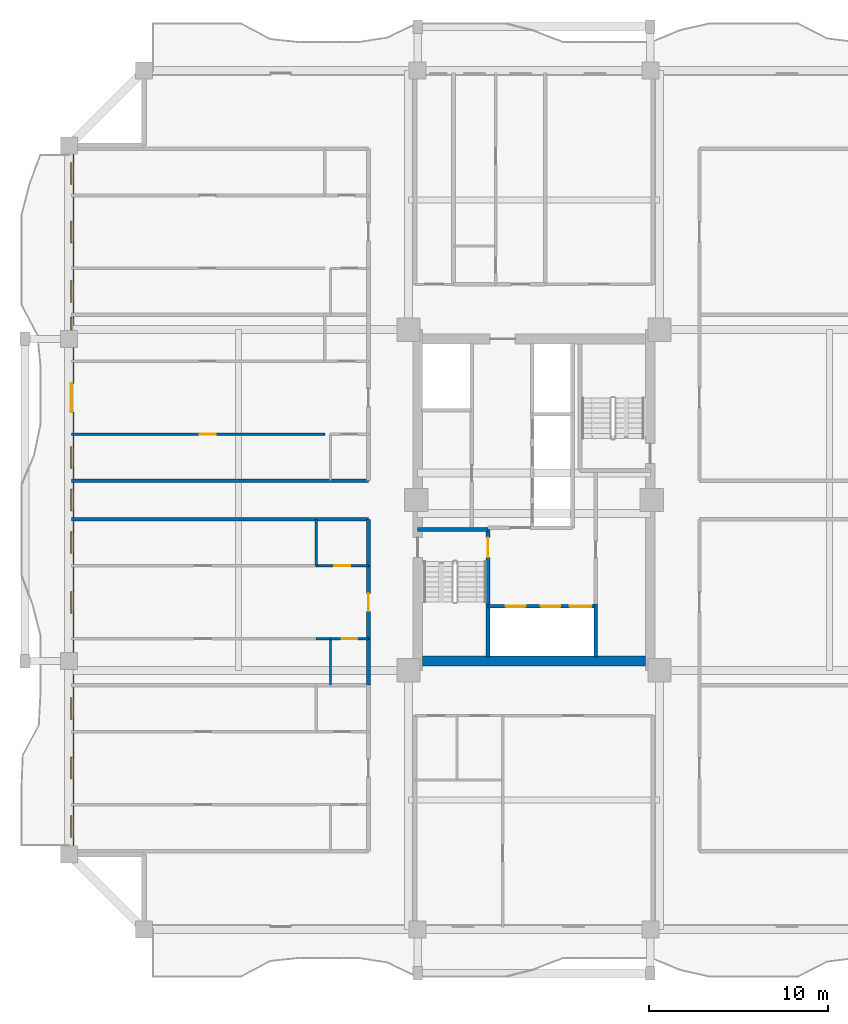
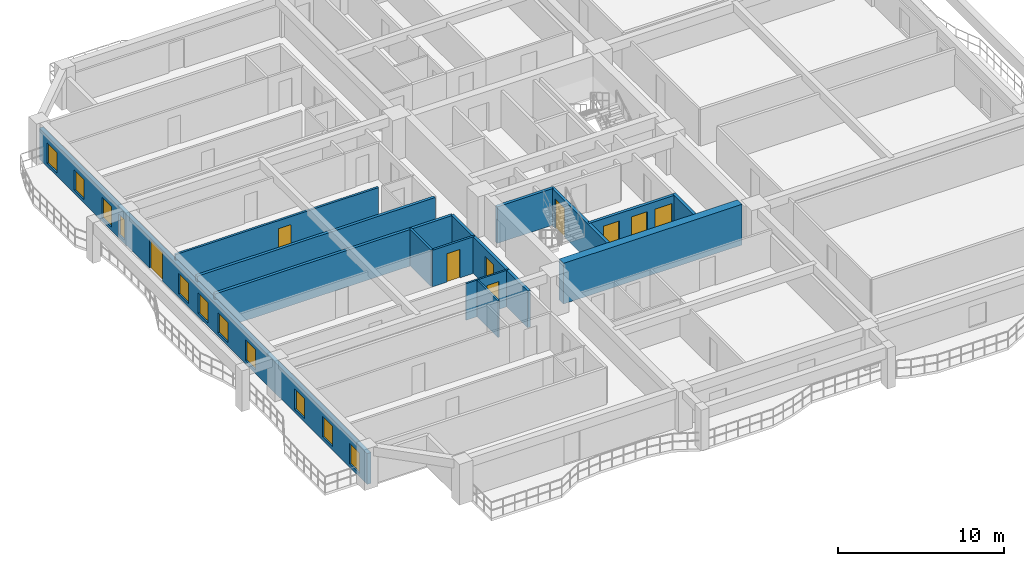
# One storey, part 3 of 11: 17 walls, 11 windows, 9 doors, 20 openings.
"""IFC4 building model written with IfcOpenShell, lengths in metres."""

from ifc_helpers import new_model, si_unit, direction, frame, frame_2d, origin, place, context, subcontext, project, spatial, rectangle, extrude, source, transform, mapped, material, layer, layer_set, type_object, element, fill, save


model = new_model("IFC4")

# Units and contexts
model_context = context("Model", 3, precision=1e-05, world=origin(), true_north=direction((0.0, 1.0)))
body_context = subcontext(model_context, "Body", "Model", "MODEL_VIEW")
ifc_project = project(units=[si_unit("LENGTHUNIT", "METRE"), si_unit("AREAUNIT", "SQUARE_METRE"), si_unit("VOLUMEUNIT", "CUBIC_METRE"), si_unit("PLANEANGLEUNIT", "RADIAN"), si_unit("MASSUNIT", "GRAM", prefix="KILO")], contexts=[model_context])

# Site, building, storey
site_placement = place(None, origin())
site = spatial("IfcSite", under=ifc_project, at=site_placement, CompositionType="ELEMENT")
building_placement = place(site_placement, origin())
building = spatial("IfcBuilding", under=site, at=building_placement, Name="Saelheon Loggia Tower", CompositionType="ELEMENT")
storey_placement = place(building_placement, frame((0.0, 0.0, 141.75)))
storey = spatial("IfcBuildingStorey", under=building, at=storey_placement, Name="L45", CompositionType="ELEMENT", Elevation=141.75)

# Wall
ifc_material_1 = material(Name="Concrete C50/60", Category="concrete")
ifc_layer_1 = layer(ifc_material_1, 0.550048828125)
ifc_layer_set_1 = layer_set([ifc_layer_1], Name="Concrete C50/60")
wall_type_1 = type_object("IfcWallType", Name="Wall_CoreShear_550", PredefinedType="SHEAR", material=ifc_layer_set_1)
wall_1_placement = place(storey_placement, frame((31.77490234375, 18.0, 0.0), z_axis=(0.0, 0.0, 1.0), x_axis=(1.0, 0.0, 0.0)))
element("IfcWall", 1, at=wall_1_placement, inside=storey, type_object=wall_type_1, Name="L45 Core Shear Wall South", PredefinedType="SHEAR", context=body_context, shape_type="SweptSolid", body=[
    extrude(rectangle(XDim=12.4501953125, YDim=0.550048828125, at=frame_2d((6.22509765625, 0.0))), origin(), (0.0, 0.0, 1.0), 3.0),
])

# Wall, openings, windows, door
ifc_material_2 = material(Name="Architectural Precast Concrete C40/50", Category="concrete")
ifc_layer_2 = layer(ifc_material_2, 0.280029296875)
ifc_layer_set_2 = layer_set([ifc_layer_2], Name="Architectural Precast Concrete C40/50")
wall_type_2 = type_object("IfcWallType", Name="Wall_Ext_Loggia_280", PredefinedType="SOLIDWALL", material=ifc_layer_set_2)
wall_2_placement = place(storey_placement, frame((12.139892578125, 7.199951171875, 0.0), z_axis=(0.0, 0.0, 1.0), x_axis=(0.0, 1.0, 0.0)))
wall_2 = element("IfcWall", 2, at=wall_2_placement, inside=storey, type_object=wall_type_2, Name="L45 West Loggia Inner Wall", PredefinedType="SOLIDWALL", context=body_context, shape_type="SweptSolid", body=[
    extrude(rectangle(XDim=39.60009765625, YDim=0.280029296875, at=frame_2d((19.800048828125, 0.0))), origin(), (0.0, 0.0, 1.0), 2.280029296875),
])
opening_1_placement = place(wall_2_placement, frame((0.9453125, 0.0, 0.25)))
opening_1 = element("IfcOpeningElement", 3, at=opening_1_placement, cuts=wall_2, Name="Opening WN-03", PredefinedType="OPENING", context=body_context, shape_type="SweptSolid", body=[
    extrude(rectangle(XDim=1.199951171875, YDim=1.5, at=frame_2d((0.60009765625, 0.75))), frame((0.0, 0.152099609375, 0.0), z_axis=(0.0, -1.0, 0.0), x_axis=(1.0, 0.0, 0.0)), (0.0, 0.0, 1.0), 0.303955078125),
])
opening_2_placement = place(wall_2_placement, frame((4.212890625, 0.0, 0.25)))
opening_2 = element("IfcOpeningElement", 4, at=opening_2_placement, cuts=wall_2, Name="Opening WN-03", PredefinedType="OPENING", context=body_context, shape_type="SweptSolid", body=[
    extrude(rectangle(XDim=1.199951171875, YDim=1.5, at=frame_2d((0.60009765625, 0.75))), frame((0.0, 0.152099609375, 0.0), z_axis=(0.0, -1.0, 0.0), x_axis=(1.0, 0.0, 0.0)), (0.0, 0.0, 1.0), 0.303955078125),
])
opening_3_placement = place(wall_2_placement, frame((7.550048828125, 0.0, 0.25)))
opening_3 = element("IfcOpeningElement", 5, at=opening_3_placement, cuts=wall_2, Name="Opening WN-03", PredefinedType="OPENING", context=body_context, shape_type="SweptSolid", body=[
    extrude(rectangle(XDim=1.199951171875, YDim=1.5, at=frame_2d((0.60009765625, 0.75))), frame((0.0, 0.152099609375, 0.0), z_axis=(0.0, -1.0, 0.0), x_axis=(1.0, 0.0, 0.0)), (0.0, 0.0, 1.0), 0.303955078125),
])
opening_4_placement = place(wall_2_placement, frame((13.48291015625, 0.0, 0.25)))
opening_4 = element("IfcOpeningElement", 6, at=opening_4_placement, cuts=wall_2, Name="Opening WN-03", PredefinedType="OPENING", context=body_context, shape_type="SweptSolid", body=[
    extrude(rectangle(XDim=1.199951171875, YDim=1.5, at=frame_2d((0.60009765625, 0.75))), frame((0.0, 0.152099609375, 0.0), z_axis=(0.0, -1.0, 0.0), x_axis=(1.0, 0.0, 0.0)), (0.0, 0.0, 1.0), 0.303955078125),
])
opening_5_placement = place(wall_2_placement, frame((16.820068359375, 0.0, 0.25)))
opening_5 = element("IfcOpeningElement", 7, at=opening_5_placement, cuts=wall_2, Name="Opening WN-03", PredefinedType="OPENING", context=body_context, shape_type="SweptSolid", body=[
    extrude(rectangle(XDim=1.199951171875, YDim=1.5, at=frame_2d((0.60009765625, 0.75))), frame((0.0, 0.152099609375, 0.0), z_axis=(0.0, -1.0, 0.0), x_axis=(1.0, 0.0, 0.0)), (0.0, 0.0, 1.0), 0.303955078125),
])
opening_6_placement = place(wall_2_placement, frame((19.199951171875, 0.0, 0.25)))
opening_6 = element("IfcOpeningElement", 8, at=opening_6_placement, cuts=wall_2, Name="Opening WN-03", PredefinedType="OPENING", context=body_context, shape_type="SweptSolid", body=[
    extrude(rectangle(XDim=1.199951171875, YDim=1.5, at=frame_2d((0.60009765625, 0.75))), frame((0.0, 0.152099609375, 0.0), z_axis=(0.0, -1.0, 0.0), x_axis=(1.0, 0.0, 0.0)), (0.0, 0.0, 1.0), 0.303955078125),
])
opening_7_placement = place(wall_2_placement, frame((21.577880859375, 0.0, 0.25)))
opening_7 = element("IfcOpeningElement", 9, at=opening_7_placement, cuts=wall_2, Name="Opening WN-03", PredefinedType="OPENING", context=body_context, shape_type="SweptSolid", body=[
    extrude(rectangle(XDim=1.199951171875, YDim=1.5, at=frame_2d((0.60009765625, 0.75))), frame((0.0, 0.152099609375, 0.0), z_axis=(0.0, -1.0, 0.0), x_axis=(1.0, 0.0, 0.0)), (0.0, 0.0, 1.0), 0.303955078125),
])
opening_8_placement = place(wall_2_placement, frame((24.712890625, 0.0, 0.0)))
opening_8 = element("IfcOpeningElement", 10, at=opening_8_placement, cuts=wall_2, Name="Opening DLG-1", PredefinedType="OPENING", context=body_context, shape_type="SweptSolid", body=[
    extrude(rectangle(XDim=1.60009765625, YDim=2.14990234375, at=frame_2d((0.800048828125, 1.074951171875))), frame((0.0, 0.152099609375, 0.0), z_axis=(0.0, -1.0, 0.0), x_axis=(1.0, 0.0, 0.0)), (0.0, 0.0, 1.0), 0.303955078125),
])
opening_9_placement = place(wall_2_placement, frame((29.304931640625, 0.0, 0.25)))
opening_9 = element("IfcOpeningElement", 11, at=opening_9_placement, cuts=wall_2, Name="Opening WN-06", PredefinedType="OPENING", context=body_context, shape_type="SweptSolid", body=[
    extrude(rectangle(XDim=0.699951171875, YDim=1.5, at=frame_2d((0.35009765625, 0.75))), frame((0.0, 0.152099609375, 0.0), z_axis=(0.0, -1.0, 0.0), x_axis=(1.0, 0.0, 0.0)), (0.0, 0.0, 1.0), 0.303955078125),
])
opening_10_placement = place(wall_2_placement, frame((30.847900390625, 0.0, 0.25)))
opening_10 = element("IfcOpeningElement", 12, at=opening_10_placement, cuts=wall_2, Name="Opening WN-03", PredefinedType="OPENING", context=body_context, shape_type="SweptSolid", body=[
    extrude(rectangle(XDim=1.199951171875, YDim=1.5, at=frame_2d((0.60009765625, 0.75))), frame((0.0, 0.152099609375, 0.0), z_axis=(0.0, -1.0, 0.0), x_axis=(1.0, 0.0, 0.0)), (0.0, 0.0, 1.0), 0.303955078125),
])
opening_11_placement = place(wall_2_placement, frame((34.182861328125, 0.0, 0.25)))
opening_11 = element("IfcOpeningElement", 13, at=opening_11_placement, cuts=wall_2, Name="Opening WN-03", PredefinedType="OPENING", context=body_context, shape_type="SweptSolid", body=[
    extrude(rectangle(XDim=1.199951171875, YDim=1.5, at=frame_2d((0.60009765625, 0.75))), frame((0.0, 0.152099609375, 0.0), z_axis=(0.0, -1.0, 0.0), x_axis=(1.0, 0.0, 0.0)), (0.0, 0.0, 1.0), 0.303955078125),
])
opening_12_placement = place(wall_2_placement, frame((37.452392578125, 0.0, 0.25)))
opening_12 = element("IfcOpeningElement", 14, at=opening_12_placement, cuts=wall_2, Name="Opening WN-03", PredefinedType="OPENING", context=body_context, shape_type="SweptSolid", body=[
    extrude(rectangle(XDim=1.199951171875, YDim=1.5, at=frame_2d((0.60009765625, 0.75))), frame((0.0, 0.152099609375, 0.0), z_axis=(0.0, -1.0, 0.0), x_axis=(1.0, 0.0, 0.0)), (0.0, 0.0, 1.0), 0.303955078125),
])
ifc_material_3 = material(Name="Thermal-Break Aluminium and Triple Low-E Glass", Category="aluminium")
window_type_1 = type_object("IfcWindowType", Name="Win_Slot_700x1500", PartitioningType="SINGLE_PANEL", PredefinedType="WINDOW", material=ifc_material_3)
shared_shape_1 = source(origin(), body_context, "Body", "SweptSolid", [
    extrude(rectangle(XDim=0.699951171875, YDim=1.5, at=frame_2d((0.35009765625, 0.75))), frame((0.0, 0.030029296875, 0.0), z_axis=(0.0, -1.0, 0.0), x_axis=(1.0, 0.0, 0.0)), (0.0, 0.0, 1.0), 0.06005859375),
])
window_1_placement = place(opening_9_placement, origin())
window_1 = element("IfcWindow", 15, at=window_1_placement, inside=storey, type_object=window_type_1, Name="L45 W Dwelling Window 9", OverallHeight=1.5, OverallWidth=0.699951171875, PartitioningType="SINGLE_PANEL", PredefinedType="WINDOW", context=body_context, shape_type="MappedRepresentation", body=[
    mapped(shared_shape_1, transform((0.0, 0.0, 0.0), scale=1.0)),
])
fill(opening_9, window_1)
window_type_2 = type_object("IfcWindowType", Name="Win_Bedroom_1200x1500", PartitioningType="SINGLE_PANEL", PredefinedType="WINDOW", material=ifc_material_3)
shared_shape_2 = source(origin(), body_context, "Body", "SweptSolid", [
    extrude(rectangle(XDim=1.199951171875, YDim=1.5, at=frame_2d((0.60009765625, 0.75))), frame((0.0, 0.030029296875, 0.0), z_axis=(0.0, -1.0, 0.0), x_axis=(1.0, 0.0, 0.0)), (0.0, 0.0, 1.0), 0.06005859375),
])
window_2_placement = place(opening_1_placement, origin())
window_2 = element("IfcWindow", 16, at=window_2_placement, inside=storey, type_object=window_type_2, Name="L45 W Dwelling Window 1", OverallHeight=1.5, OverallWidth=1.199951171875, PartitioningType="SINGLE_PANEL", PredefinedType="WINDOW", context=body_context, shape_type="MappedRepresentation", body=[
    mapped(shared_shape_2, transform((0.0, 0.0, 0.0), scale=1.0)),
])
fill(opening_1, window_2)
window_3_placement = place(opening_2_placement, origin())
window_3 = element("IfcWindow", 17, at=window_3_placement, inside=storey, type_object=window_type_2, Name="L45 W Dwelling Window 2", OverallHeight=1.5, OverallWidth=1.199951171875, PartitioningType="SINGLE_PANEL", PredefinedType="WINDOW", context=body_context, shape_type="MappedRepresentation", body=[
    mapped(shared_shape_2, transform((0.0, 0.0, 0.0), scale=1.0)),
])
fill(opening_2, window_3)
window_4_placement = place(opening_3_placement, origin())
window_4 = element("IfcWindow", 18, at=window_4_placement, inside=storey, type_object=window_type_2, Name="L45 W Dwelling Window 3", OverallHeight=1.5, OverallWidth=1.199951171875, PartitioningType="SINGLE_PANEL", PredefinedType="WINDOW", context=body_context, shape_type="MappedRepresentation", body=[
    mapped(shared_shape_2, transform((0.0, 0.0, 0.0), scale=1.0)),
])
fill(opening_3, window_4)
window_5_placement = place(opening_4_placement, origin())
window_5 = element("IfcWindow", 19, at=window_5_placement, inside=storey, type_object=window_type_2, Name="L45 W Dwelling Window 4", OverallHeight=1.5, OverallWidth=1.199951171875, PartitioningType="SINGLE_PANEL", PredefinedType="WINDOW", context=body_context, shape_type="MappedRepresentation", body=[
    mapped(shared_shape_2, transform((0.0, 0.0, 0.0), scale=1.0)),
])
fill(opening_4, window_5)
window_6_placement = place(opening_5_placement, origin())
window_6 = element("IfcWindow", 20, at=window_6_placement, inside=storey, type_object=window_type_2, Name="L45 W Dwelling Window 5", OverallHeight=1.5, OverallWidth=1.199951171875, PartitioningType="SINGLE_PANEL", PredefinedType="WINDOW", context=body_context, shape_type="MappedRepresentation", body=[
    mapped(shared_shape_2, transform((0.0, 0.0, 0.0), scale=1.0)),
])
fill(opening_5, window_6)
window_7_placement = place(opening_6_placement, origin())
window_7 = element("IfcWindow", 21, at=window_7_placement, inside=storey, type_object=window_type_2, Name="L45 W Dwelling Window 6", OverallHeight=1.5, OverallWidth=1.199951171875, PartitioningType="SINGLE_PANEL", PredefinedType="WINDOW", context=body_context, shape_type="MappedRepresentation", body=[
    mapped(shared_shape_2, transform((0.0, 0.0, 0.0), scale=1.0)),
])
fill(opening_6, window_7)
window_8_placement = place(opening_7_placement, origin())
window_8 = element("IfcWindow", 22, at=window_8_placement, inside=storey, type_object=window_type_2, Name="L45 W Dwelling Window 7", OverallHeight=1.5, OverallWidth=1.199951171875, PartitioningType="SINGLE_PANEL", PredefinedType="WINDOW", context=body_context, shape_type="MappedRepresentation", body=[
    mapped(shared_shape_2, transform((0.0, 0.0, 0.0), scale=1.0)),
])
fill(opening_7, window_8)
window_9_placement = place(opening_10_placement, origin())
window_9 = element("IfcWindow", 23, at=window_9_placement, inside=storey, type_object=window_type_2, Name="L45 W Dwelling Window 10", OverallHeight=1.5, OverallWidth=1.199951171875, PartitioningType="SINGLE_PANEL", PredefinedType="WINDOW", context=body_context, shape_type="MappedRepresentation", body=[
    mapped(shared_shape_2, transform((0.0, 0.0, 0.0), scale=1.0)),
])
fill(opening_10, window_9)
window_10_placement = place(opening_11_placement, origin())
window_10 = element("IfcWindow", 24, at=window_10_placement, inside=storey, type_object=window_type_2, Name="L45 W Dwelling Window 11", OverallHeight=1.5, OverallWidth=1.199951171875, PartitioningType="SINGLE_PANEL", PredefinedType="WINDOW", context=body_context, shape_type="MappedRepresentation", body=[
    mapped(shared_shape_2, transform((0.0, 0.0, 0.0), scale=1.0)),
])
fill(opening_11, window_10)
window_11_placement = place(opening_12_placement, origin())
window_11 = element("IfcWindow", 25, at=window_11_placement, inside=storey, type_object=window_type_2, Name="L45 W Dwelling Window 12", OverallHeight=1.5, OverallWidth=1.199951171875, PartitioningType="SINGLE_PANEL", PredefinedType="WINDOW", context=body_context, shape_type="MappedRepresentation", body=[
    mapped(shared_shape_2, transform((0.0, 0.0, 0.0), scale=1.0)),
])
fill(opening_12, window_11)
ifc_material_4 = material(Name="Thermal-Break Aluminium Sliding Glazed Door", Category="aluminium")
door_type_1 = type_object("IfcDoorType", Name="Door_LoggiaSlide_1600", OperationType="SLIDING_TO_LEFT", PredefinedType="DOOR", material=ifc_material_4)
shared_shape_3 = source(origin(), body_context, "Body", "SweptSolid", [
    extrude(rectangle(XDim=1.60009765625, YDim=2.14990234375, at=frame_2d((0.800048828125, 1.074951171875))), frame((0.0, 0.02490234375, 0.0), z_axis=(0.0, -1.0, 0.0), x_axis=(1.0, 0.0, 0.0)), (0.0, 0.0, 1.0), 0.050048828125),
])
door_1_placement = place(opening_8_placement, origin())
door_1 = element("IfcDoor", 26, at=door_1_placement, inside=storey, type_object=door_type_1, Name="L45 W Loggia Access Door", OperationType="SLIDING_TO_LEFT", OverallHeight=2.14990234375, OverallWidth=1.60009765625, PredefinedType="DOOR", context=body_context, shape_type="MappedRepresentation", body=[
    mapped(shared_shape_3, transform((0.0, 0.0, 0.0), scale=1.0)),
])
fill(opening_8, door_1)

# Wall
ifc_material_5 = material(Name="Lightweight Autoclaved Aerated Concrete Block and Acoustic Gypsum", Category="concrete")
ifc_layer_3 = layer(ifc_material_5, 0.14990234375)
ifc_layer_set_3 = layer_set([ifc_layer_3], Name="Lightweight Autoclaved Aerated Concrete Block and Acoustic Gypsum")
wall_type_3 = type_object("IfcWallType", Name="Wall_Part_150", PredefinedType="PARTITIONING", material=ifc_layer_set_3)
wall_3_placement = place(storey_placement, frame((25.830078125, 23.320068359375, 0.0), z_axis=(0.0, 0.0, 1.0), x_axis=(0.0, 1.0, 0.0)))
element("IfcWall", 27, at=wall_3_placement, inside=storey, type_object=wall_type_3, Name="L45 WS Partition V18", PredefinedType="PARTITIONING", context=body_context, shape_type="SweptSolid", body=[
    extrude(rectangle(XDim=2.599853515625, YDim=0.14990234375, at=frame_2d((1.2998046875, 0.0))), origin(), (0.0, 0.0, 1.0), 2.699951171875),
])

# Wall, opening, door
wall_4_placement = place(storey_placement, frame((28.75, 23.320068359375, 0.0), z_axis=(0.0, 0.0, 1.0), x_axis=(-1.0, 0.0, 0.0)))
wall_4 = element("IfcWall", 28, at=wall_4_placement, inside=storey, type_object=wall_type_3, Name="L45 WS Partition U22", PredefinedType="PARTITIONING", context=body_context, shape_type="SweptSolid", body=[
    extrude(rectangle(XDim=2.919921875, YDim=0.14990234375, at=frame_2d((1.4599609375, 0.0))), origin(), (0.0, 0.0, 1.0), 2.699951171875),
])
opening_13_placement = place(wall_4_placement, frame((1.010009765625, 0.0, 0.0)))
opening_13 = element("IfcOpeningElement", 29, at=opening_13_placement, cuts=wall_4, Name="Opening D-IN2", PredefinedType="OPENING", context=body_context, shape_type="SweptSolid", body=[
    extrude(rectangle(XDim=0.89990234375, YDim=2.10009765625, at=frame_2d((0.449951171875, 1.050048828125))), frame((0.0, 0.0869140625, 0.0), z_axis=(0.0, -1.0, 0.0), x_axis=(1.0, 0.0, 0.0)), (0.0, 0.0, 1.0), 0.173828125),
])
ifc_material_6 = material(Name="Engineered Oak Flush Door", Category="timber")
door_type_2 = type_object("IfcDoorType", Name="Door_Int_900", OperationType="NOTDEFINED", PredefinedType="DOOR", material=ifc_material_6)
shared_shape_4 = source(origin(), body_context, "Body", "SweptSolid", [
    extrude(rectangle(XDim=0.89990234375, YDim=2.10009765625, at=frame_2d((0.449951171875, 1.050048828125))), frame((0.0, 0.02490234375, 0.0), z_axis=(0.0, -1.0, 0.0), x_axis=(1.0, 0.0, 0.0)), (0.0, 0.0, 1.0), 0.050048828125),
])
door_2_placement = place(opening_13_placement, origin())
door_2 = element("IfcDoor", 30, at=door_2_placement, inside=storey, type_object=door_type_2, Name="Unit U03 Dressing Closet Door", OperationType="SINGLE_SWING_RIGHT", OverallHeight=2.10009765625, OverallWidth=0.89990234375, PredefinedType="DOOR", context=body_context, shape_type="MappedRepresentation", body=[
    mapped(shared_shape_4, transform((0.0, 0.0, 0.0), scale=1.0)),
])
fill(opening_13, door_2)

wall_5_placement = place(storey_placement, frame((26.31005859375, 30.675537109375, 0.0), z_axis=(0.0, 0.0, 1.0), x_axis=(-1.0, 0.0, 0.0)))
wall_5 = element("IfcWall", 31, at=wall_5_placement, inside=storey, type_object=wall_type_3, Name="L45 WN Partition U09", PredefinedType="PARTITIONING", context=body_context, shape_type="SweptSolid", body=[
    extrude(rectangle(XDim=14.16015625, YDim=0.14990234375, at=frame_2d((7.080078125, 0.0))), origin(), (0.0, 0.0, 1.0), 2.699951171875),
])
opening_14_placement = place(wall_5_placement, frame((6.097412109375, 0.0, 0.0)))
opening_14 = element("IfcOpeningElement", 32, at=opening_14_placement, cuts=wall_5, Name="Opening D-IN2", PredefinedType="OPENING", context=body_context, shape_type="SweptSolid", body=[
    extrude(rectangle(XDim=0.89990234375, YDim=2.10009765625, at=frame_2d((0.449951171875, 1.050048828125))), frame((0.0, 0.0869140625, 0.0), z_axis=(0.0, -1.0, 0.0), x_axis=(1.0, 0.0, 0.0)), (0.0, 0.0, 1.0), 0.173828125),
])
door_3_placement = place(opening_14_placement, origin())
door_3 = element("IfcDoor", 33, at=door_3_placement, inside=storey, type_object=door_type_2, Name="Unit U04 Kitchen Door", OperationType="SINGLE_SWING_RIGHT", OverallHeight=2.10009765625, OverallWidth=0.89990234375, PredefinedType="DOOR", context=body_context, shape_type="MappedRepresentation", body=[
    mapped(shared_shape_4, transform((0.0, 0.0, 0.0), scale=1.0)),
])
fill(opening_14, door_3)

# Walls
ifc_material_7 = material(Name="Double Acoustic Stud and Fireboard Partition", Category="gypsum")
ifc_layer_4 = layer(ifc_material_7, 0.199951171875)
ifc_layer_set_4 = layer_set([ifc_layer_4], Name="Double Acoustic Stud and Fireboard Partition")
wall_type_4 = type_object("IfcWallType", Name="Wall_Party_200", PredefinedType="PARTITIONING", material=ifc_layer_set_4)
wall_6_placement = place(storey_placement, frame((28.75, 25.919921875, 0.0), z_axis=(0.0, 0.0, 1.0), x_axis=(-1.0, 0.0, 0.0)))
element("IfcWall", 34, at=wall_6_placement, inside=storey, type_object=wall_type_4, Name="L45 WS Partition U02", PredefinedType="PARTITIONING", context=body_context, shape_type="SweptSolid", body=[
    extrude(rectangle(XDim=16.60009765625, YDim=0.199951171875, at=frame_2d((8.300048828125, 0.0))), origin(), (0.0, 0.0, 1.0), 2.699951171875),
])
wall_7_placement = place(storey_placement, frame((28.75, 16.64990234375, 0.0), z_axis=(0.0, 0.0, 1.0), x_axis=(0.0, 1.0, 0.0)))
element("IfcWall", 35, at=wall_7_placement, inside=storey, type_object=wall_type_4, Name="L45 WS Partition V14", PredefinedType="PARTITIONING", context=body_context, shape_type="SweptSolid", body=[
    extrude(rectangle(XDim=2.595703125, YDim=0.199951171875, at=frame_2d((1.2978515625, 0.0))), origin(), (0.0, 0.0, 1.0), 2.699951171875),
])

# Wall, opening, door
wall_8_placement = place(storey_placement, frame((28.75, 19.24560546875, 0.0), z_axis=(0.0, 0.0, 1.0), x_axis=(0.0, 1.0, 0.0)))
wall_8 = element("IfcWall", 36, at=wall_8_placement, inside=storey, type_object=wall_type_4, Name="L45 WS Partition V15", PredefinedType="PARTITIONING", context=body_context, shape_type="SweptSolid", body=[
    extrude(rectangle(XDim=4.074462890625, YDim=0.199951171875, at=frame_2d((2.037109375, 0.0))), origin(), (0.0, 0.0, 1.0), 2.699951171875),
])
opening_15_placement = place(wall_8_placement, frame((1.537109375, 0.0, 0.0)))
opening_15 = element("IfcOpeningElement", 37, at=opening_15_placement, cuts=wall_8, Name="Opening D-FD1", PredefinedType="OPENING", context=body_context, shape_type="SweptSolid", body=[
    extrude(rectangle(XDim=1.0, YDim=2.14990234375, at=frame_2d((0.5, 1.074951171875))), frame((0.0, 0.112060546875, 0.0), z_axis=(0.0, -1.0, 0.0), x_axis=(1.0, 0.0, 0.0)), (0.0, 0.0, 1.0), 0.223876953125),
])
ifc_material_8 = material(Name="Fire-Rated Engineered Timber Entrance Door", Category="wood")
door_type_3 = type_object("IfcDoorType", Name="Door_Flat_FD30S", OperationType="NOTDEFINED", PredefinedType="DOOR", material=ifc_material_8)
shared_shape_5 = source(origin(), body_context, "Body", "SweptSolid", [
    extrude(rectangle(XDim=1.0, YDim=2.14990234375, at=frame_2d((0.5, 1.074951171875))), frame((0.0, 0.02490234375, 0.0), z_axis=(0.0, -1.0, 0.0), x_axis=(1.0, 0.0, 0.0)), (0.0, 0.0, 1.0), 0.050048828125),
])
door_4_placement = place(opening_15_placement, origin())
door_4 = element("IfcDoor", 38, at=door_4_placement, inside=storey, type_object=door_type_3, Name="Unit U03 Entrance Door", OperationType="SINGLE_SWING_LEFT", OverallHeight=2.14990234375, OverallWidth=1.0, PredefinedType="DOOR", context=body_context, shape_type="MappedRepresentation", body=[
    mapped(shared_shape_5, transform((0.0, 0.0, 0.0), scale=1.0)),
])
fill(opening_15, door_4)

# Walls
wall_9_placement = place(storey_placement, frame((28.75, 23.320068359375, 0.0), z_axis=(0.0, 0.0, 1.0), x_axis=(0.0, 1.0, 0.0)))
element("IfcWall", 39, at=wall_9_placement, inside=storey, type_object=wall_type_4, Name="L45 WS Partition V16", PredefinedType="PARTITIONING", context=body_context, shape_type="SweptSolid", body=[
    extrude(rectangle(XDim=2.599853515625, YDim=0.199951171875, at=frame_2d((1.2998046875, 0.0))), origin(), (0.0, 0.0, 1.0), 2.699951171875),
])
wall_10_placement = place(storey_placement, frame((28.75, 28.080078125, 0.0), z_axis=(0.0, 0.0, 1.0), x_axis=(-1.0, 0.0, 0.0)))
element("IfcWall", 40, at=wall_10_placement, inside=storey, type_object=wall_type_4, Name="L45 WN Partition U01", PredefinedType="PARTITIONING", context=body_context, shape_type="SweptSolid", body=[
    extrude(rectangle(XDim=16.60009765625, YDim=0.199951171875, at=frame_2d((8.300048828125, 0.0))), origin(), (0.0, 0.0, 1.0), 2.699951171875),
])
ifc_material_9 = material(Name="Concrete C40/50", Category="concrete")
ifc_layer_5 = layer(ifc_material_9, 0.199951171875)
ifc_layer_set_5 = layer_set([ifc_layer_5], Name="Concrete C40/50")
wall_type_5 = type_object("IfcWallType", Name="Wall_Shaft_200", PredefinedType="PARTITIONING", material=ifc_layer_set_5)
wall_11_placement = place(storey_placement, frame((41.449951171875, 18.219970703125, 0.0), z_axis=(0.0, 0.0, 1.0), x_axis=(0.0, 1.0, 0.0)))
element("IfcWall", 41, at=wall_11_placement, inside=storey, type_object=wall_type_5, Name="CW-INT-L45-BOH-W0", PredefinedType="PARTITIONING", context=body_context, shape_type="SweptSolid", body=[
    extrude(rectangle(XDim=2.9599609375, YDim=0.199951171875, at=frame_2d((1.47998046875, 0.0))), origin(), (0.0, 0.0, 1.0), 2.699951171875),
])

# Wall, openings, doors
wall_12_placement = place(storey_placement, frame((35.429931640625, 21.06005859375, 0.0), z_axis=(0.0, 0.0, 1.0), x_axis=(1.0, 0.0, 0.0)))
wall_12 = element("IfcWall", 42, at=wall_12_placement, inside=storey, type_object=wall_type_5, Name="L45 Firefighting Lift Shaft Front Wall", PredefinedType="PARTITIONING", context=body_context, shape_type="SweptSolid", body=[
    extrude(rectangle(XDim=6.02001953125, YDim=0.199951171875, at=frame_2d((3.010009765625, 0.0))), origin(), (0.0, 0.0, 1.0), 2.699951171875),
])
opening_16_placement = place(wall_12_placement, frame((1.0, 0.0, 0.0)))
opening_16 = element("IfcOpeningElement", 43, at=opening_16_placement, cuts=wall_12, Name="Opening LD2", PredefinedType="OPENING", context=body_context, shape_type="SweptSolid", body=[
    extrude(rectangle(XDim=1.10009765625, YDim=2.14990234375, at=frame_2d((0.550048828125, 1.074951171875))), frame((0.0, 0.112060546875, 0.0), z_axis=(0.0, -1.0, 0.0), x_axis=(1.0, 0.0, 0.0)), (0.0, 0.0, 1.0), 0.223876953125),
])
opening_17_placement = place(wall_12_placement, frame((2.949951171875, 0.0, 0.0)))
opening_17 = element("IfcOpeningElement", 44, at=opening_17_placement, cuts=wall_12, Name="Opening LD2", PredefinedType="OPENING", context=body_context, shape_type="SweptSolid", body=[
    extrude(rectangle(XDim=1.10009765625, YDim=2.14990234375, at=frame_2d((0.550048828125, 1.074951171875))), frame((0.0, 0.112060546875, 0.0), z_axis=(0.0, -1.0, 0.0), x_axis=(1.0, 0.0, 0.0)), (0.0, 0.0, 1.0), 0.223876953125),
])
opening_18_placement = place(wall_12_placement, frame((4.580078125, 0.0, 0.0)))
opening_18 = element("IfcOpeningElement", 45, at=opening_18_placement, cuts=wall_12, Name="Opening LD3", PredefinedType="OPENING", context=body_context, shape_type="SweptSolid", body=[
    extrude(rectangle(XDim=1.199951171875, YDim=2.14990234375, at=frame_2d((0.60009765625, 1.074951171875))), frame((0.0, 0.112060546875, 0.0), z_axis=(0.0, -1.0, 0.0), x_axis=(1.0, 0.0, 0.0)), (0.0, 0.0, 1.0), 0.223876953125),
])
ifc_material_10 = material(Name="Firefighting Stainless Steel 316 Landing Door", Category="steel")
door_type_4 = type_object("IfcDoorType", Name="Door_Lift_LD2", OperationType="DOUBLE_DOOR_SLIDING", PredefinedType="DOOR", material=ifc_material_10)
shared_shape_6 = source(origin(), body_context, "Body", "SweptSolid", [
    extrude(rectangle(XDim=1.10009765625, YDim=2.14990234375, at=frame_2d((0.550048828125, 1.074951171875))), frame((0.0, 0.02490234375, 0.0), z_axis=(0.0, -1.0, 0.0), x_axis=(1.0, 0.0, 0.0)), (0.0, 0.0, 1.0), 0.050048828125),
])
door_5_placement = place(opening_16_placement, origin())
door_5 = element("IfcDoor", 46, at=door_5_placement, inside=storey, type_object=door_type_4, Name="L45 FF1 Landing Door", OperationType="DOUBLE_DOOR_SLIDING", OverallHeight=2.14990234375, OverallWidth=1.10009765625, PredefinedType="DOOR", context=body_context, shape_type="MappedRepresentation", body=[
    mapped(shared_shape_6, transform((0.0, 0.0, 0.0), scale=1.0)),
])
fill(opening_16, door_5)
door_6_placement = place(opening_17_placement, origin())
door_6 = element("IfcDoor", 47, at=door_6_placement, inside=storey, type_object=door_type_4, Name="L45 FF2 Landing Door", OperationType="DOUBLE_DOOR_SLIDING", OverallHeight=2.14990234375, OverallWidth=1.10009765625, PredefinedType="DOOR", context=body_context, shape_type="MappedRepresentation", body=[
    mapped(shared_shape_6, transform((0.0, 0.0, 0.0), scale=1.0)),
])
fill(opening_17, door_6)
ifc_material_11 = material(Name="Stretcher Lift Stainless Steel 304 Landing Door", Category="steel")
door_type_5 = type_object("IfcDoorType", Name="Door_Lift_LD3", OperationType="DOUBLE_DOOR_SLIDING", PredefinedType="DOOR", material=ifc_material_11)
shared_shape_7 = source(origin(), body_context, "Body", "SweptSolid", [
    extrude(rectangle(XDim=1.199951171875, YDim=2.14990234375, at=frame_2d((0.60009765625, 1.074951171875))), frame((0.0, 0.02490234375, 0.0), z_axis=(0.0, -1.0, 0.0), x_axis=(1.0, 0.0, 0.0)), (0.0, 0.0, 1.0), 0.050048828125),
])
door_7_placement = place(opening_18_placement, origin())
door_7 = element("IfcDoor", 48, at=door_7_placement, inside=storey, type_object=door_type_5, Name="L45 SV1 Landing Door", OperationType="DOUBLE_DOOR_SLIDING", OverallHeight=2.14990234375, OverallWidth=1.199951171875, PredefinedType="DOOR", context=body_context, shape_type="MappedRepresentation", body=[
    mapped(shared_shape_7, transform((0.0, 0.0, 0.0), scale=1.0)),
])
fill(opening_18, door_7)

# Wall, opening, door
ifc_material_12 = material(Name="Concrete C45/55", Category="concrete")
ifc_layer_6 = layer(ifc_material_12, 0.199951171875)
ifc_layer_set_6 = layer_set([ifc_layer_6], Name="Concrete C45/55")
wall_type_6 = type_object("IfcWallType", Name="Wall_StairShaft_RC200", PredefinedType="SOLIDWALL", material=ifc_layer_set_6)
wall_13_placement = place(storey_placement, frame((35.429931640625, 18.219970703125, 0.0), z_axis=(0.0, 0.0, 1.0), x_axis=(0.0, 1.0, 0.0)))
wall_13 = element("IfcWall", 49, at=wall_13_placement, inside=storey, type_object=wall_type_6, Name="L45 Stair ST1 Shaft Wall", PredefinedType="SOLIDWALL", context=body_context, shape_type="SweptSolid", body=[
    extrude(rectangle(XDim=7.219970703125, YDim=0.199951171875, at=frame_2d((3.60986328125, 0.0))), origin(), (0.0, 0.0, 1.0), 2.699951171875),
])
opening_19_placement = place(wall_13_placement, frame((6.68017578125, 0.0, 0.0), z_axis=(0.0, 0.0, 1.0), x_axis=(-1.0, 0.0, 0.0)))
opening_19 = element("IfcOpeningElement", 50, at=opening_19_placement, cuts=wall_13, Name="Opening D-FD2", PredefinedType="OPENING", context=body_context, shape_type="SweptSolid", body=[
    extrude(rectangle(XDim=1.10009765625, YDim=2.14990234375, at=frame_2d((0.550048828125, 1.074951171875))), frame((0.0, 0.112060546875, 0.0), z_axis=(0.0, -1.0, 0.0), x_axis=(1.0, 0.0, 0.0)), (0.0, 0.0, 1.0), 0.223876953125),
])
ifc_material_13 = material(Name="Galvanised Steel Fire Door", Category="steel")
door_type_6 = type_object("IfcDoorType", Name="Door_Fire_FD60_1100", OperationType="NOTDEFINED", PredefinedType="DOOR", material=ifc_material_13)
door_8_placement = place(opening_19_placement, origin())
door_8 = element("IfcDoor", 51, at=door_8_placement, inside=storey, type_object=door_type_6, Name="L45 Stair ST1 Lobby Door", OperationType="SINGLE_SWING_LEFT", OverallHeight=2.14990234375, OverallWidth=1.10009765625, PredefinedType="DOOR", context=body_context, shape_type="MappedRepresentation", body=[
    mapped(shared_shape_6, transform((0.0, 0.0, 0.0), scale=1.0)),
])
fill(opening_19, door_8)

# Walls
wall_14_placement = place(storey_placement, frame((31.5, 25.35009765625, 0.0), z_axis=(0.0, 0.0, 1.0), x_axis=(1.0, 0.0, 0.0)))
element("IfcWall", 52, at=wall_14_placement, inside=storey, type_object=wall_type_6, Name="L45 Stair ST1 North Wall", PredefinedType="SOLIDWALL", context=body_context, shape_type="SweptSolid", body=[
    extrude(rectangle(XDim=3.929931640625, YDim=0.199951171875, at=frame_2d((1.96484375, 0.0))), origin(), (0.0, 0.0, 1.0), 2.699951171875),
])
ifc_material_14 = material(Name="Moisture-Resistant Cement Board Partition", Category="gypsum")
ifc_layer_7 = layer(ifc_material_14, 0.1201171875)
ifc_layer_set_7 = layer_set([ifc_layer_7], Name="Moisture-Resistant Cement Board Partition")
wall_type_7 = type_object("IfcWallType", Name="Wall_WetPart_120", PredefinedType="PARTITIONING", material=ifc_layer_set_7)
wall_15_placement = place(storey_placement, frame((26.6298828125, 16.64990234375, 0.0), z_axis=(0.0, 0.0, 1.0), x_axis=(0.0, 1.0, 0.0)))
element("IfcWall", 53, at=wall_15_placement, inside=storey, type_object=wall_type_7, Name="L45 WS Partition V17", PredefinedType="PARTITIONING", context=body_context, shape_type="SweptSolid", body=[
    extrude(rectangle(XDim=2.595703125, YDim=0.1201171875, at=frame_2d((1.2978515625, 0.0))), origin(), (0.0, 0.0, 1.0), 2.699951171875),
])

# Wall, opening, door
wall_16_placement = place(storey_placement, frame((28.75, 19.24560546875, 0.0), z_axis=(0.0, 0.0, 1.0), x_axis=(-1.0, 0.0, 0.0)))
wall_16 = element("IfcWall", 54, at=wall_16_placement, inside=storey, type_object=wall_type_7, Name="L45 WS Partition U19", PredefinedType="PARTITIONING", context=body_context, shape_type="SweptSolid", body=[
    extrude(rectangle(XDim=2.1201171875, YDim=0.1201171875, at=frame_2d((1.06005859375, 0.0))), origin(), (0.0, 0.0, 1.0), 2.699951171875),
])
opening_20_placement = place(wall_16_placement, frame((0.635009765625, 0.0, 0.0)))
opening_20 = element("IfcOpeningElement", 55, at=opening_20_placement, cuts=wall_16, Name="Opening D-BT1", PredefinedType="OPENING", context=body_context, shape_type="SweptSolid", body=[
    extrude(rectangle(XDim=0.85009765625, YDim=2.050048828125, at=frame_2d((0.425048828125, 1.02490234375))), frame((0.0, 0.072021484375, 0.0), z_axis=(0.0, -1.0, 0.0), x_axis=(1.0, 0.0, 0.0)), (0.0, 0.0, 1.0), 0.14404296875),
])
ifc_material_15 = material(Name="Moisture-Resistant Laminate Timber Door", Category="wood")
door_type_7 = type_object("IfcDoorType", Name="Door_Bath_850", OperationType="NOTDEFINED", PredefinedType="DOOR", material=ifc_material_15)
shared_shape_8 = source(origin(), body_context, "Body", "SweptSolid", [
    extrude(rectangle(XDim=0.85009765625, YDim=2.050048828125, at=frame_2d((0.425048828125, 1.02490234375))), frame((0.0, 0.02490234375, 0.0), z_axis=(0.0, -1.0, 0.0), x_axis=(1.0, 0.0, 0.0)), (0.0, 0.0, 1.0), 0.050048828125),
])
door_9_placement = place(opening_20_placement, origin())
door_9 = element("IfcDoor", 56, at=door_9_placement, inside=storey, type_object=door_type_7, Name="Unit U03 Bathroom Door", OperationType="SINGLE_SWING_RIGHT", OverallHeight=2.050048828125, OverallWidth=0.85009765625, PredefinedType="DOOR", context=body_context, shape_type="MappedRepresentation", body=[
    mapped(shared_shape_8, transform((0.0, 0.0, 0.0), scale=1.0)),
])
fill(opening_20, door_9)

# Wall
wall_17_placement = place(storey_placement, frame((26.6298828125, 19.24560546875, 0.0), z_axis=(0.0, 0.0, 1.0), x_axis=(-1.0, 0.0, 0.0)))
element("IfcWall", 57, at=wall_17_placement, inside=storey, type_object=wall_type_7, Name="L45 WS Partition U20", PredefinedType="PARTITIONING", context=body_context, shape_type="SweptSolid", body=[
    extrude(rectangle(XDim=0.7998046875, YDim=0.1201171875, at=frame_2d((0.39990234375, 0.0))), origin(), (0.0, 0.0, 1.0), 2.699951171875),
])

save(model, "model.ifc")
